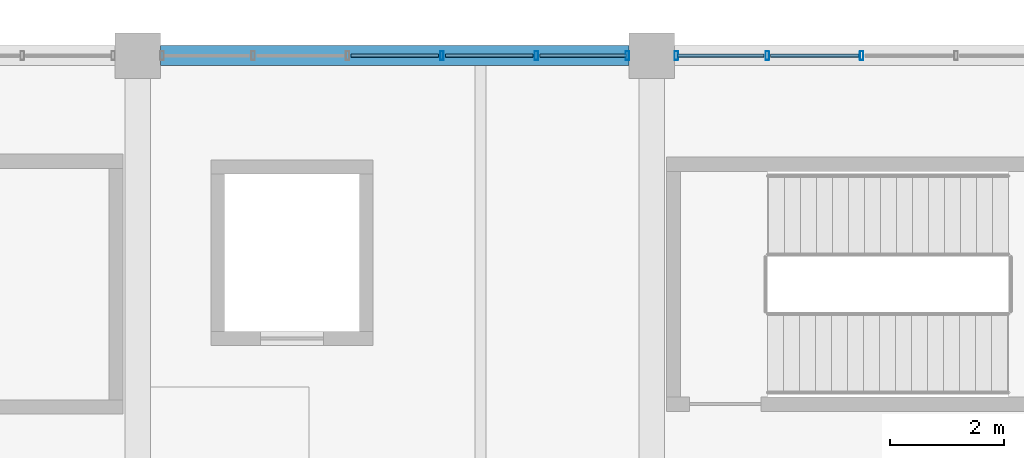
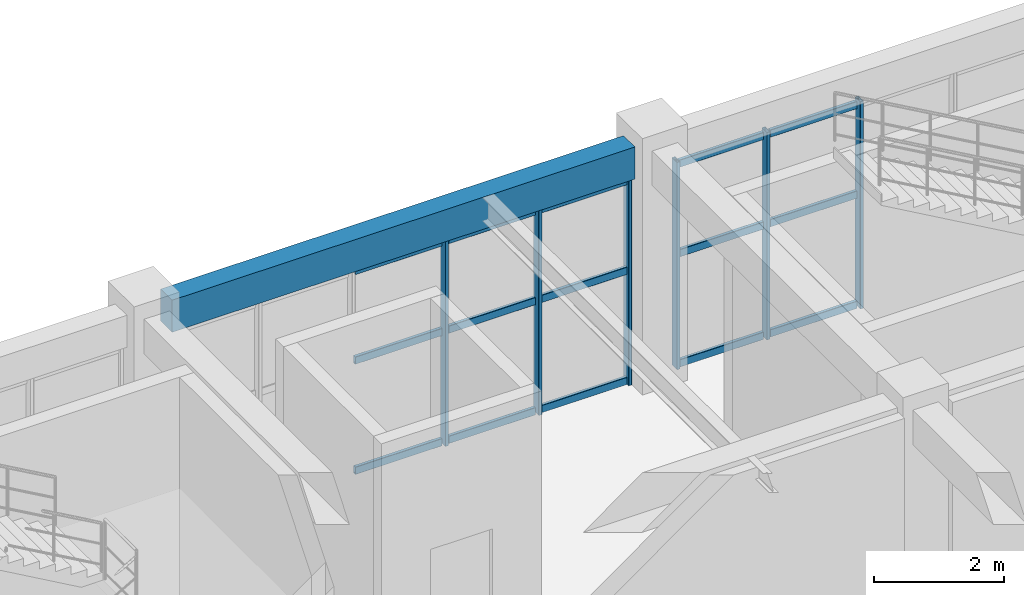
# One storey, part 89 of 178: 21 members, 1 beam, 2 elements without a shape of their own.
"""IFC4 building model written with IfcOpenShell, lengths in metres."""

from ifc_helpers import new_model, si_unit, derived_unit, direction, frame, origin, origin_2d, place, context, subcontext, project, spatial, rectangle, hollow_rectangle, extrude, material, material_profile, profile_set, type_object, element, aggregate, save


model = new_model("IFC4")

# Units and contexts
model_context = context("Model", 3, precision=1e-05, world=origin(), true_north=direction((0.0, 1.0)))
body_context = subcontext(model_context, "Body", "Model", "MODEL_VIEW")
ifc_project = project(units=[si_unit("LENGTHUNIT", "METRE"), si_unit("AREAUNIT", "SQUARE_METRE"), si_unit("VOLUMEUNIT", "CUBIC_METRE"), si_unit("PLANEANGLEUNIT", "RADIAN"), si_unit("MASSUNIT", "GRAM", prefix="KILO"), derived_unit("THERMALTRANSMITTANCEUNIT", [(si_unit("MASSUNIT", "GRAM", prefix="KILO"), 1), (si_unit("TIMEUNIT", "SECOND"), -3), (si_unit("THERMODYNAMICTEMPERATUREUNIT", "KELVIN"), -1)])], contexts=[model_context])

# Site, building, storey
site_placement = place(None, origin())
site = spatial("IfcSite", under=ifc_project, at=site_placement, CompositionType="ELEMENT")
building_placement = place(site_placement, origin())
building = spatial("IfcBuilding", under=site, at=building_placement, Name="Zhenchuan Archway Interchange", CompositionType="ELEMENT")
storey_placement = place(building_placement, frame((0.0, 0.0, 5.39990234375)))
storey = spatial("IfcBuildingStorey", under=building, at=storey_placement, Name="L01", CompositionType="ELEMENT", Elevation=5.39990234375)

# Curtain wall, members
ifc_material_1 = material(Name="Anodised Aluminium", Category="aluminium")
curtain_wall_type_1 = type_object("IfcCurtainWallType", Name="CW_UNIT_4", PredefinedType="NOTDEFINED", material=ifc_material_1)
curtain_wall_1_placement = place(storey_placement, origin())
curtain_wall_1 = element("IfcCurtainWall", 1, at=curtain_wall_1_placement, inside=storey, type_object=curtain_wall_type_1, Name="Unitised curtain wall CW:L01:047", PredefinedType="NOTDEFINED")
ifc_material_profile_1 = material_profile(ifc_material_1, hollow_rectangle(XDim=0.06005859375, YDim=0.159912109375, WallThickness=0.00390625, InnerFilletRadius=0.00390625, OuterFilletRadius=0.008056640625, at=origin_2d()), Name="ALU 160x60x4")
ifc_profile_set_1 = profile_set([ifc_material_profile_1], Name="Anodised Aluminium")
member_type_1 = type_object("IfcMemberType", Name="CW_MUL_150", PredefinedType="MULLION", material=ifc_profile_set_1)
member_1_placement = place(storey_placement, frame((23.326416015625, 112.0, 0.0), z_axis=(0.0, 0.0, 1.0), x_axis=(1.0, 0.0, 0.0)))
member_1 = element("IfcMember", 2, at=member_1_placement, type_object=member_type_1, Name="CW:L01:047 mullion 3", PredefinedType="MULLION", context=body_context, shape_type="SweptSolid", body=[
    extrude(hollow_rectangle(XDim=0.06005859375, YDim=0.159912109375, WallThickness=0.00390625, InnerFilletRadius=0.00390625, OuterFilletRadius=0.008056640625, at=origin_2d()), origin(), (0.0, 0.0, 1.0), 3.880126953125),
])
member_2_placement = place(storey_placement, frame((24.979248046875, 112.0, 0.0), z_axis=(0.0, 0.0, 1.0), x_axis=(1.0, 0.0, 0.0)))
member_2 = element("IfcMember", 3, at=member_2_placement, type_object=member_type_1, Name="CW:L01:047 mullion 4", PredefinedType="MULLION", context=body_context, shape_type="SweptSolid", body=[
    extrude(hollow_rectangle(XDim=0.06005859375, YDim=0.159912109375, WallThickness=0.00390625, InnerFilletRadius=0.00390625, OuterFilletRadius=0.008056640625, at=origin_2d()), origin(), (0.0, 0.0, 1.0), 3.880126953125),
])
member_3_placement = place(storey_placement, frame((26.572021484375, 112.0, 0.0), z_axis=(0.0, 0.0, 1.0), x_axis=(1.0, 0.0, 0.0)))
member_3 = element("IfcMember", 4, at=member_3_placement, type_object=member_type_1, Name="CW:L01:047 mullion 5", PredefinedType="MULLION", context=body_context, shape_type="SweptSolid", body=[
    extrude(hollow_rectangle(XDim=0.06005859375, YDim=0.159912109375, WallThickness=0.00390625, InnerFilletRadius=0.00390625, OuterFilletRadius=0.008056640625, at=origin_2d()), origin(), (0.0, 0.0, 1.0), 3.880126953125),
])

curtain_wall_type_2 = type_object("IfcCurtainWallType", Name="CW_UNIT_1", PredefinedType="NOTDEFINED", material=ifc_material_1)
curtain_wall_2_placement = place(storey_placement, origin())
curtain_wall_2 = element("IfcCurtainWall", 5, at=curtain_wall_2_placement, inside=storey, type_object=curtain_wall_type_2, Name="Unitised curtain wall CW:L01:048", PredefinedType="NOTDEFINED")
member_4_placement = place(storey_placement, frame((27.427978515625, 112.0, 0.0), z_axis=(0.0, 0.0, 1.0), x_axis=(1.0, 0.0, 0.0)))
member_4 = element("IfcMember", 6, at=member_4_placement, type_object=member_type_1, Name="CW:L01:048 mullion 0", PredefinedType="MULLION", context=body_context, shape_type="SweptSolid", body=[
    extrude(hollow_rectangle(XDim=0.06005859375, YDim=0.159912109375, WallThickness=0.00390625, InnerFilletRadius=0.00390625, OuterFilletRadius=0.008056640625, at=origin_2d()), origin(), (0.0, 0.0, 1.0), 3.880126953125),
])
member_5_placement = place(storey_placement, frame((29.020751953125, 112.0, 0.0), z_axis=(0.0, 0.0, 1.0), x_axis=(1.0, 0.0, 0.0)))
member_5 = element("IfcMember", 7, at=member_5_placement, type_object=member_type_1, Name="CW:L01:048 mullion 1", PredefinedType="MULLION", context=body_context, shape_type="SweptSolid", body=[
    extrude(hollow_rectangle(XDim=0.06005859375, YDim=0.159912109375, WallThickness=0.00390625, InnerFilletRadius=0.00390625, OuterFilletRadius=0.008056640625, at=origin_2d()), origin(), (0.0, 0.0, 1.0), 3.880126953125),
])
member_6_placement = place(storey_placement, frame((30.673583984375, 112.0, 0.0), z_axis=(0.0, 0.0, 1.0), x_axis=(1.0, 0.0, 0.0)))
member_6 = element("IfcMember", 8, at=member_6_placement, type_object=member_type_1, Name="CW:L01:048 mullion 2", PredefinedType="MULLION", context=body_context, shape_type="SweptSolid", body=[
    extrude(hollow_rectangle(XDim=0.06005859375, YDim=0.159912109375, WallThickness=0.00390625, InnerFilletRadius=0.00390625, OuterFilletRadius=0.008056640625, at=origin_2d()), origin(), (0.0, 0.0, 1.0), 3.880126953125),
])

# Member
ifc_material_profile_2 = material_profile(ifc_material_1, hollow_rectangle(XDim=0.06005859375, YDim=0.139892578125, WallThickness=0.00341796875, InnerFilletRadius=0.00341796875, OuterFilletRadius=0.007080078125, at=origin_2d()), Name="ALU 140x60x3.5")
ifc_profile_set_2 = profile_set([ifc_material_profile_2], Name="Anodised Aluminium")
member_type_2 = type_object("IfcMemberType", Name="CW_TRN_140", PredefinedType="USERDEFINED", material=ifc_profile_set_2)
member_7_placement = place(storey_placement, frame((21.733642578125, 112.0, 0.06005859375), z_axis=(1.0, 0.0, 0.0), x_axis=(0.0, 1.0, 0.0)))
member_7 = element("IfcMember", 9, at=member_7_placement, type_object=member_type_2, Name="CW:L01:047 transom 2-1", ObjectType="TRANSOM", PredefinedType="USERDEFINED", context=body_context, shape_type="SweptSolid", body=[
    extrude(hollow_rectangle(XDim=0.06005859375, YDim=0.139892578125, WallThickness=0.00341796875, InnerFilletRadius=0.00341796875, OuterFilletRadius=0.007080078125, at=origin_2d()), origin(), (0.0, 0.0, 1.0), 1.53271484375),
])

member_8_placement = place(storey_placement, frame((21.733642578125, 112.0, 2.123046875), z_axis=(1.0, 0.0, 0.0), x_axis=(0.0, 1.0, 0.0)))
member_8 = element("IfcMember", 10, at=member_8_placement, type_object=member_type_2, Name="CW:L01:047 transom 2-2", ObjectType="TRANSOM", PredefinedType="USERDEFINED", context=body_context, shape_type="SweptSolid", body=[
    extrude(hollow_rectangle(XDim=0.06005859375, YDim=0.139892578125, WallThickness=0.00341796875, InnerFilletRadius=0.00341796875, OuterFilletRadius=0.007080078125, at=origin_2d()), origin(), (0.0, 0.0, 1.0), 1.53271484375),
])

member_9_placement = place(storey_placement, frame((21.733642578125, 112.0, 3.800048828125), z_axis=(1.0, 0.0, 0.0), x_axis=(0.0, 1.0, 0.0)))
member_9 = element("IfcMember", 11, at=member_9_placement, type_object=member_type_2, Name="CW:L01:047 transom 2-3", ObjectType="TRANSOM", PredefinedType="USERDEFINED", context=body_context, shape_type="SweptSolid", body=[
    extrude(hollow_rectangle(XDim=0.06005859375, YDim=0.139892578125, WallThickness=0.00341796875, InnerFilletRadius=0.00341796875, OuterFilletRadius=0.007080078125, at=origin_2d()), origin(), (0.0, 0.0, 1.0), 1.53271484375),
])

member_10_placement = place(storey_placement, frame((23.386474609375, 112.0, 0.06005859375), z_axis=(1.0, 0.0, 0.0), x_axis=(0.0, 1.0, 0.0)))
member_10 = element("IfcMember", 12, at=member_10_placement, type_object=member_type_2, Name="CW:L01:047 transom 3-1", ObjectType="TRANSOM", PredefinedType="USERDEFINED", context=body_context, shape_type="SweptSolid", body=[
    extrude(hollow_rectangle(XDim=0.06005859375, YDim=0.139892578125, WallThickness=0.00341796875, InnerFilletRadius=0.00341796875, OuterFilletRadius=0.007080078125, at=origin_2d()), origin(), (0.0, 0.0, 1.0), 1.53271484375),
])

member_11_placement = place(storey_placement, frame((23.386474609375, 112.0, 2.123046875), z_axis=(1.0, 0.0, 0.0), x_axis=(0.0, 1.0, 0.0)))
member_11 = element("IfcMember", 13, at=member_11_placement, type_object=member_type_2, Name="CW:L01:047 transom 3-2", ObjectType="TRANSOM", PredefinedType="USERDEFINED", context=body_context, shape_type="SweptSolid", body=[
    extrude(hollow_rectangle(XDim=0.06005859375, YDim=0.139892578125, WallThickness=0.00341796875, InnerFilletRadius=0.00341796875, OuterFilletRadius=0.007080078125, at=origin_2d()), origin(), (0.0, 0.0, 1.0), 1.53271484375),
])

member_12_placement = place(storey_placement, frame((23.386474609375, 112.0, 3.800048828125), z_axis=(1.0, 0.0, 0.0), x_axis=(0.0, 1.0, 0.0)))
member_12 = element("IfcMember", 14, at=member_12_placement, type_object=member_type_2, Name="CW:L01:047 transom 3-3", ObjectType="TRANSOM", PredefinedType="USERDEFINED", context=body_context, shape_type="SweptSolid", body=[
    extrude(hollow_rectangle(XDim=0.06005859375, YDim=0.139892578125, WallThickness=0.00341796875, InnerFilletRadius=0.00341796875, OuterFilletRadius=0.007080078125, at=origin_2d()), origin(), (0.0, 0.0, 1.0), 1.53271484375),
])

member_13_placement = place(storey_placement, frame((25.039306640625, 112.0, 0.06005859375), z_axis=(1.0, 0.0, 0.0), x_axis=(0.0, 1.0, 0.0)))
member_13 = element("IfcMember", 15, at=member_13_placement, type_object=member_type_2, Name="CW:L01:047 transom 4-1", ObjectType="TRANSOM", PredefinedType="USERDEFINED", context=body_context, shape_type="SweptSolid", body=[
    extrude(hollow_rectangle(XDim=0.06005859375, YDim=0.139892578125, WallThickness=0.00341796875, InnerFilletRadius=0.00341796875, OuterFilletRadius=0.007080078125, at=origin_2d()), origin(), (0.0, 0.0, 1.0), 1.5126953125),
])

member_14_placement = place(storey_placement, frame((25.039306640625, 112.0, 2.123046875), z_axis=(1.0, 0.0, 0.0), x_axis=(0.0, 1.0, 0.0)))
member_14 = element("IfcMember", 16, at=member_14_placement, type_object=member_type_2, Name="CW:L01:047 transom 4-2", ObjectType="TRANSOM", PredefinedType="USERDEFINED", context=body_context, shape_type="SweptSolid", body=[
    extrude(hollow_rectangle(XDim=0.06005859375, YDim=0.139892578125, WallThickness=0.00341796875, InnerFilletRadius=0.00341796875, OuterFilletRadius=0.007080078125, at=origin_2d()), origin(), (0.0, 0.0, 1.0), 1.5126953125),
])

member_15_placement = place(storey_placement, frame((25.039306640625, 112.0, 3.800048828125), z_axis=(1.0, 0.0, 0.0), x_axis=(0.0, 1.0, 0.0)))
member_15 = element("IfcMember", 17, at=member_15_placement, type_object=member_type_2, Name="CW:L01:047 transom 4-3", ObjectType="TRANSOM", PredefinedType="USERDEFINED", context=body_context, shape_type="SweptSolid", body=[
    extrude(hollow_rectangle(XDim=0.06005859375, YDim=0.139892578125, WallThickness=0.00341796875, InnerFilletRadius=0.00341796875, OuterFilletRadius=0.007080078125, at=origin_2d()), origin(), (0.0, 0.0, 1.0), 1.5126953125),
])

aggregate(curtain_wall_1, [member_1, member_2, member_3, member_7, member_8, member_9, member_10, member_11, member_12, member_13, member_14, member_15])

member_16_placement = place(storey_placement, frame((27.447998046875, 112.0, 0.06005859375), z_axis=(1.0, 0.0, 0.0), x_axis=(0.0, 1.0, 0.0)))
member_16 = element("IfcMember", 18, at=member_16_placement, type_object=member_type_2, Name="CW:L01:048 transom 0-1", ObjectType="TRANSOM", PredefinedType="USERDEFINED", context=body_context, shape_type="SweptSolid", body=[
    extrude(hollow_rectangle(XDim=0.06005859375, YDim=0.139892578125, WallThickness=0.00341796875, InnerFilletRadius=0.00341796875, OuterFilletRadius=0.007080078125, at=origin_2d()), origin(), (0.0, 0.0, 1.0), 1.5126953125),
])

member_17_placement = place(storey_placement, frame((27.447998046875, 112.0, 2.123046875), z_axis=(1.0, 0.0, 0.0), x_axis=(0.0, 1.0, 0.0)))
member_17 = element("IfcMember", 19, at=member_17_placement, type_object=member_type_2, Name="CW:L01:048 transom 0-2", ObjectType="TRANSOM", PredefinedType="USERDEFINED", context=body_context, shape_type="SweptSolid", body=[
    extrude(hollow_rectangle(XDim=0.06005859375, YDim=0.139892578125, WallThickness=0.00341796875, InnerFilletRadius=0.00341796875, OuterFilletRadius=0.007080078125, at=origin_2d()), origin(), (0.0, 0.0, 1.0), 1.5126953125),
])

member_18_placement = place(storey_placement, frame((27.447998046875, 112.0, 3.800048828125), z_axis=(1.0, 0.0, 0.0), x_axis=(0.0, 1.0, 0.0)))
member_18 = element("IfcMember", 20, at=member_18_placement, type_object=member_type_2, Name="CW:L01:048 transom 0-3", ObjectType="TRANSOM", PredefinedType="USERDEFINED", context=body_context, shape_type="SweptSolid", body=[
    extrude(hollow_rectangle(XDim=0.06005859375, YDim=0.139892578125, WallThickness=0.00341796875, InnerFilletRadius=0.00341796875, OuterFilletRadius=0.007080078125, at=origin_2d()), origin(), (0.0, 0.0, 1.0), 1.5126953125),
])

member_19_placement = place(storey_placement, frame((29.080810546875, 112.0, 0.06005859375), z_axis=(1.0, 0.0, 0.0), x_axis=(0.0, 1.0, 0.0)))
member_19 = element("IfcMember", 21, at=member_19_placement, type_object=member_type_2, Name="CW:L01:048 transom 1-1", ObjectType="TRANSOM", PredefinedType="USERDEFINED", context=body_context, shape_type="SweptSolid", body=[
    extrude(hollow_rectangle(XDim=0.06005859375, YDim=0.139892578125, WallThickness=0.00341796875, InnerFilletRadius=0.00341796875, OuterFilletRadius=0.007080078125, at=origin_2d()), origin(), (0.0, 0.0, 1.0), 1.53271484375),
])

member_20_placement = place(storey_placement, frame((29.080810546875, 112.0, 2.123046875), z_axis=(1.0, 0.0, 0.0), x_axis=(0.0, 1.0, 0.0)))
member_20 = element("IfcMember", 22, at=member_20_placement, type_object=member_type_2, Name="CW:L01:048 transom 1-2", ObjectType="TRANSOM", PredefinedType="USERDEFINED", context=body_context, shape_type="SweptSolid", body=[
    extrude(hollow_rectangle(XDim=0.06005859375, YDim=0.139892578125, WallThickness=0.00341796875, InnerFilletRadius=0.00341796875, OuterFilletRadius=0.007080078125, at=origin_2d()), origin(), (0.0, 0.0, 1.0), 1.53271484375),
])

member_21_placement = place(storey_placement, frame((29.080810546875, 112.0, 3.800048828125), z_axis=(1.0, 0.0, 0.0), x_axis=(0.0, 1.0, 0.0)))
member_21 = element("IfcMember", 23, at=member_21_placement, type_object=member_type_2, Name="CW:L01:048 transom 1-3", ObjectType="TRANSOM", PredefinedType="USERDEFINED", context=body_context, shape_type="SweptSolid", body=[
    extrude(hollow_rectangle(XDim=0.06005859375, YDim=0.139892578125, WallThickness=0.00341796875, InnerFilletRadius=0.00341796875, OuterFilletRadius=0.007080078125, at=origin_2d()), origin(), (0.0, 0.0, 1.0), 1.53271484375),
])

aggregate(curtain_wall_2, [member_4, member_5, member_6, member_16, member_17, member_18, member_19, member_20, member_21])

# Beam
ifc_material_2 = material(Name="Concrete C40", Category="concrete")
ifc_material_profile_3 = material_profile(ifc_material_2, rectangle(XDim=0.35009765625, YDim=0.60009765625, at=origin_2d()), Name="RC 350x600")
ifc_profile_set_3 = profile_set([ifc_material_profile_3], Name="Concrete C40")
beam_type = type_object("IfcBeamType", Name="SP_RC_350x600", PredefinedType="SPANDREL", material=ifc_profile_set_3)
beam_placement = place(storey_placement, frame((18.39990234375, 112.0, 4.210205078125), z_axis=(1.0, 0.0, 0.0), x_axis=(0.0, 1.0, 0.0)))
element("IfcBeam", 24, at=beam_placement, inside=storey, type_object=beam_type, Name="Beam P:3-4 (L01)", PredefinedType="SPANDREL", context=body_context, shape_type="SweptSolid", body=[
    extrude(rectangle(XDim=0.35009765625, YDim=0.60009765625, at=origin_2d()), origin(), (0.0, 0.0, 1.0), 8.2001953125),
])

save(model, "model.ifc")
